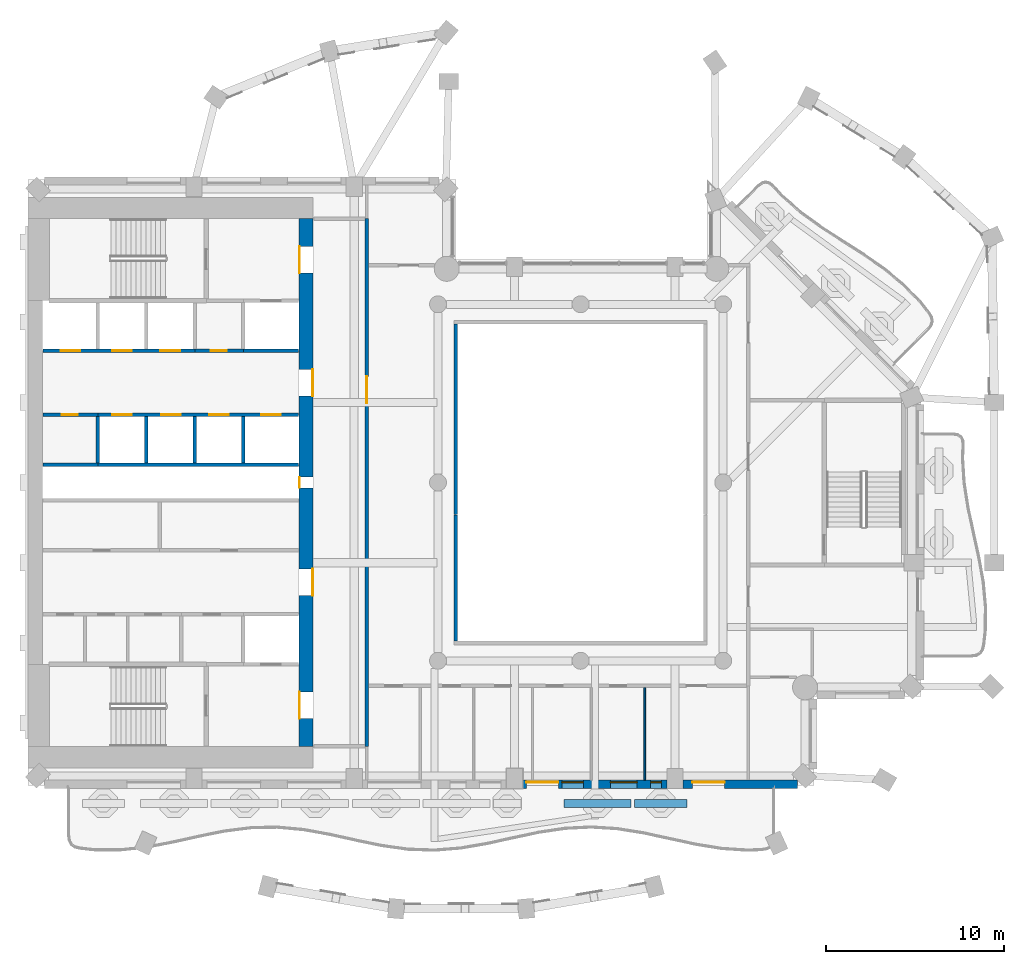
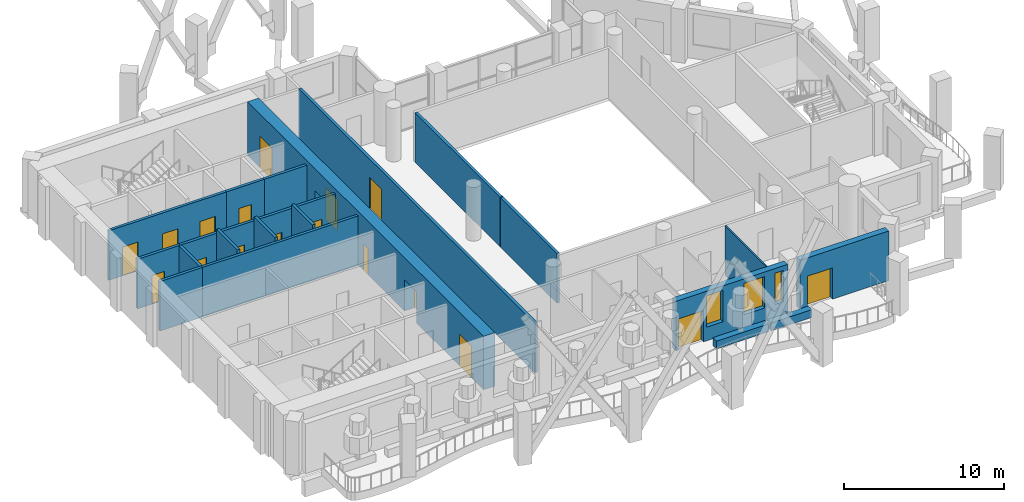
# One storey, part 5 of 16: 20 walls, 17 doors, 3 windows, 20 openings.
"""IFC4 building model written with IfcOpenShell, lengths in metres."""

from ifc_helpers import new_model, si_unit, direction, frame, frame_2d, origin, place, context, subcontext, project, spatial, rectangle, extrude, material, layer, layer_set, type_object, element, fill, save


model = new_model("IFC4")

# Units and contexts
model_context = context("Model", 3, precision=1e-05, world=origin(), true_north=direction((0.0, 1.0)))
body_context = subcontext(model_context, "Body", "Model", "MODEL_VIEW")
ifc_project = project(units=[si_unit("LENGTHUNIT", "METRE"), si_unit("AREAUNIT", "SQUARE_METRE"), si_unit("VOLUMEUNIT", "CUBIC_METRE"), si_unit("PLANEANGLEUNIT", "RADIAN"), si_unit("MASSUNIT", "GRAM", prefix="KILO")], contexts=[model_context])

# Site, building, storey
site_placement = place(None, origin())
site = spatial("IfcSite", under=ifc_project, at=site_placement, CompositionType="ELEMENT")
building_placement = place(site_placement, origin())
building = spatial("IfcBuilding", under=site, at=building_placement, Name="Cypress Arch Tower", CompositionType="ELEMENT")
storey_placement = place(building_placement, frame((0.0, 0.0, 168.699951171875)))
storey = spatial("IfcBuildingStorey", under=building, at=storey_placement, Name="L36", CompositionType="ELEMENT", Elevation=168.699951171875)

# Walls
ifc_material_1 = material(Name="Concrete C40/50, waterproofed", Category="concrete")
ifc_layer_1 = layer(ifc_material_1, 0.449951171875)
ifc_layer_set_1 = layer_set([ifc_layer_1], Name="Balcony planter wall PW450")
wall_type_1 = type_object("IfcWallType", Name="Balcony planter wall PW450", PredefinedType="SOLIDWALL", material=ifc_layer_set_1)
wall_1_placement = place(storey_placement, frame((0.070068359375, -18.0, 0.0), z_axis=(0.0, 0.0, 1.0), x_axis=(1.0, 0.0, 0.0)))
element("IfcWall", 1, at=wall_1_placement, inside=storey, type_object=wall_type_1, Name="Balcony planter wall L36-B01.8", PredefinedType="SOLIDWALL", context=body_context, shape_type="SweptSolid", body=[
    extrude(rectangle(XDim=3.760009765625, YDim=0.449951171875, at=frame_2d((1.8798828125, 0.0))), origin(), (0.0, 0.0, 1.0), 0.60009765625),
])
wall_2_placement = place(storey_placement, frame((4.030029296875, -18.0, 0.0), z_axis=(0.0, 0.0, 1.0), x_axis=(1.0, 0.0, 0.0)))
element("IfcWall", 2, at=wall_2_placement, inside=storey, type_object=wall_type_1, Name="Balcony planter wall L36-B01.9", PredefinedType="SOLIDWALL", context=body_context, shape_type="SweptSolid", body=[
    extrude(rectangle(XDim=2.945068359375, YDim=0.449951171875, at=frame_2d((1.47265625, 0.0))), origin(), (0.0, 0.0, 1.0), 0.60009765625),
])

# Wall, openings, door, windows
ifc_material_2 = material(Name="Brick (red buff blend)", Category="masonry")
ifc_layer_2 = layer(ifc_material_2, 0.449951171875)
ifc_layer_set_2 = layer_set([ifc_layer_2], Name="Brick pier and spandrel wall BW450")
wall_type_2 = type_object("IfcWallType", Name="Brick pier and spandrel wall BW450", PredefinedType="SOLIDWALL", material=ifc_layer_set_2)
wall_3_placement = place(storey_placement, frame((-2.25, -16.925048828125, 0.0), z_axis=(0.0, 0.0, 1.0), x_axis=(1.0, 0.0, 0.0)))
wall_3 = element("IfcWall", 3, at=wall_3_placement, inside=storey, type_object=wall_type_2, Name="Brick wall L36 B01.3", PredefinedType="SOLIDWALL", context=body_context, shape_type="SweptSolid", body=[
    extrude(rectangle(XDim=8.10009765625, YDim=0.449951171875, at=frame_2d((4.050048828125, 0.0))), origin(), (0.0, 0.0, 1.0), 3.800048828125),
])
opening_1_placement = place(wall_3_placement, frame((0.199951171875, 0.0, 0.0)))
opening_1 = element("IfcOpeningElement", 4, at=opening_1_placement, cuts=wall_3, Name="Opening D-L36-B01.3.1", PredefinedType="OPENING", context=body_context, shape_type="SweptSolid", body=[
    extrude(rectangle(XDim=1.800048828125, YDim=2.39990234375, at=frame_2d((0.89990234375, 1.199951171875))), frame((0.0, 0.23486328125, 0.0), z_axis=(0.0, -1.0, 0.0), x_axis=(1.0, 0.0, 0.0)), (0.0, 0.0, 1.0), 0.469970703125),
])
opening_2_placement = place(wall_3_placement, frame((2.199951171875, 0.0, 1.050048828125)))
opening_2 = element("IfcOpeningElement", 5, at=opening_2_placement, cuts=wall_3, Name="Opening W120OD", PredefinedType="OPENING", context=body_context, shape_type="SweptSolid", body=[
    extrude(rectangle(XDim=1.199951171875, YDim=2.39990234375, at=frame_2d((0.60009765625, 1.199951171875))), frame((0.0, 0.23486328125, 0.0), z_axis=(0.0, -1.0, 0.0), x_axis=(1.0, 0.0, 0.0)), (0.0, 0.0, 1.0), 0.469970703125),
])
opening_3_placement = place(wall_3_placement, frame((4.925537109375, 0.0, 1.050048828125)))
opening_3 = element("IfcOpeningElement", 6, at=opening_3_placement, cuts=wall_3, Name="Opening W150OD", PredefinedType="OPENING", context=body_context, shape_type="SweptSolid", body=[
    extrude(rectangle(XDim=1.5, YDim=2.39990234375, at=frame_2d((0.75, 1.199951171875))), frame((0.0, 0.23486328125, 0.0), z_axis=(0.0, -1.0, 0.0), x_axis=(1.0, 0.0, 0.0)), (0.0, 0.0, 1.0), 0.469970703125),
])
opening_4_placement = place(wall_3_placement, frame((7.175537109375, 0.0, 1.050048828125)))
opening_4 = element("IfcOpeningElement", 7, at=opening_4_placement, cuts=wall_3, Name="Opening W060OD", PredefinedType="OPENING", context=body_context, shape_type="SweptSolid", body=[
    extrude(rectangle(XDim=0.60009765625, YDim=2.39990234375, at=frame_2d((0.300048828125, 1.199951171875))), frame((0.0, 0.23486328125, 0.0), z_axis=(0.0, -1.0, 0.0), x_axis=(1.0, 0.0, 0.0)), (0.0, 0.0, 1.0), 0.469970703125),
])
ifc_material_3 = material(Name="Anodised aluminium, bronze finish, laminated low-emissivity double glazing, large-missile impact rated", Category="aluminium")
door_type_1 = type_object("IfcDoorType", Name="Balcony sliding door 1800x2400", OperationType="SLIDING_TO_LEFT", PredefinedType="DOOR", material=ifc_material_3)
door_1_placement = place(opening_1_placement, origin())
door_1 = element("IfcDoor", 8, at=door_1_placement, inside=storey, type_object=door_type_1, Name="Balcony door L36 B01.3.1", OperationType="SLIDING_TO_LEFT", OverallHeight=2.39990234375, OverallWidth=1.800048828125, PredefinedType="DOOR", context=body_context, shape_type="SweptSolid", body=[
    extrude(rectangle(XDim=1.800048828125, YDim=2.39990234375, at=frame_2d((0.89990234375, 1.199951171875))), frame((0.0, 0.1298828125, 0.0), z_axis=(0.0, -1.0, 0.0), x_axis=(1.0, 0.0, 0.0)), (0.0, 0.0, 1.0), 0.050048828125),
])
fill(opening_1, door_1)
ifc_material_4 = material(Name="Anodised aluminium, bronze finish, laminated low-emissivity double glazing, large-missile impact rated", Category="aluminium")
window_type_1 = type_object("IfcWindowType", Name="Window Office 1200x2400 debris-rated", PartitioningType="SINGLE_PANEL", PredefinedType="WINDOW", material=ifc_material_4)
window_1_placement = place(opening_2_placement, origin())
window_1 = element("IfcWindow", 9, at=window_1_placement, inside=storey, type_object=window_type_1, Name="Window L36 B01.3.1", OverallHeight=2.39990234375, OverallWidth=1.199951171875, PartitioningType="SINGLE_PANEL", PredefinedType="WINDOW", context=body_context, shape_type="SweptSolid", body=[
    extrude(rectangle(XDim=1.199951171875, YDim=2.39990234375, at=frame_2d((0.60009765625, 1.199951171875))), frame((0.0, 0.135009765625, 0.0), z_axis=(0.0, -1.0, 0.0), x_axis=(1.0, 0.0, 0.0)), (0.0, 0.0, 1.0), 0.06005859375),
])
fill(opening_2, window_1)
ifc_material_5 = material(Name="Anodised aluminium, bronze finish, laminated low-emissivity double glazing, large-missile impact rated", Category="aluminium")
window_type_2 = type_object("IfcWindowType", Name="Window Office 1500x2400 debris-rated", PartitioningType="SINGLE_PANEL", PredefinedType="WINDOW", material=ifc_material_5)
window_2_placement = place(opening_3_placement, origin())
window_2 = element("IfcWindow", 10, at=window_2_placement, inside=storey, type_object=window_type_2, Name="Window L36 B01.3.2", OverallHeight=2.39990234375, OverallWidth=1.5, PartitioningType="SINGLE_PANEL", PredefinedType="WINDOW", context=body_context, shape_type="SweptSolid", body=[
    extrude(rectangle(XDim=1.5, YDim=2.39990234375, at=frame_2d((0.75, 1.199951171875))), frame((0.0, 0.135009765625, 0.0), z_axis=(0.0, -1.0, 0.0), x_axis=(1.0, 0.0, 0.0)), (0.0, 0.0, 1.0), 0.06005859375),
])
fill(opening_3, window_2)
ifc_material_6 = material(Name="Anodised aluminium, bronze finish, laminated low-emissivity double glazing, large-missile impact rated", Category="aluminium")
window_type_3 = type_object("IfcWindowType", Name="Window Office 600x2400 debris-rated", PartitioningType="SINGLE_PANEL", PredefinedType="WINDOW", material=ifc_material_6)
window_3_placement = place(opening_4_placement, origin())
window_3 = element("IfcWindow", 11, at=window_3_placement, inside=storey, type_object=window_type_3, Name="Window L36 B01.3.2b", OverallHeight=2.39990234375, OverallWidth=0.60009765625, PartitioningType="SINGLE_PANEL", PredefinedType="WINDOW", context=body_context, shape_type="SweptSolid", body=[
    extrude(rectangle(XDim=0.60009765625, YDim=2.39990234375, at=frame_2d((0.300048828125, 1.199951171875))), frame((0.0, 0.135009765625, 0.0), z_axis=(0.0, -1.0, 0.0), x_axis=(1.0, 0.0, 0.0)), (0.0, 0.0, 1.0), 0.06005859375),
])
fill(opening_4, window_3)

# Wall, opening, door
wall_4_placement = place(storey_placement, frame((6.75, -16.925048828125, 0.0), z_axis=(0.0, 0.0, 1.0), x_axis=(1.0, 0.0, 0.0)))
wall_4 = element("IfcWall", 12, at=wall_4_placement, inside=storey, type_object=wall_type_2, Name="Brick wall L36 B01.4", PredefinedType="SOLIDWALL", context=body_context, shape_type="SweptSolid", body=[
    extrude(rectangle(XDim=6.41357421875, YDim=0.449951171875, at=frame_2d((3.206787109375, 0.0))), origin(), (0.0, 0.0, 1.0), 3.800048828125),
])
opening_5_placement = place(wall_4_placement, frame((0.52490234375, 0.0, 0.0)))
opening_5 = element("IfcOpeningElement", 13, at=opening_5_placement, cuts=wall_4, Name="Opening D-L36-B01.4.1", PredefinedType="OPENING", context=body_context, shape_type="SweptSolid", body=[
    extrude(rectangle(XDim=1.800048828125, YDim=2.39990234375, at=frame_2d((0.89990234375, 1.199951171875))), frame((0.0, 0.23486328125, 0.0), z_axis=(0.0, -1.0, 0.0), x_axis=(1.0, 0.0, 0.0)), (0.0, 0.0, 1.0), 0.469970703125),
])
door_2_placement = place(opening_5_placement, origin())
door_2 = element("IfcDoor", 14, at=door_2_placement, inside=storey, type_object=door_type_1, Name="Balcony door L36 B01.4.1", OperationType="SLIDING_TO_LEFT", OverallHeight=2.39990234375, OverallWidth=1.800048828125, PredefinedType="DOOR", context=body_context, shape_type="SweptSolid", body=[
    extrude(rectangle(XDim=1.800048828125, YDim=2.39990234375, at=frame_2d((0.89990234375, 1.199951171875))), frame((0.0, 0.1298828125, 0.0), z_axis=(0.0, -1.0, 0.0), x_axis=(1.0, 0.0, 0.0)), (0.0, 0.0, 1.0), 0.050048828125),
])
fill(opening_5, door_2)

# Wall, openings, doors
ifc_material_7 = material(Name="Concrete C70/85", Category="concrete")
ifc_layer_3 = layer(ifc_material_7, 0.800048828125)
ifc_layer_set_3 = layer_set([ifc_layer_3], Name="Core wall CW800 C70/85")
wall_type_3 = type_object("IfcWallType", Name="Core wall CW800 C70/85", PredefinedType="SHEAR", material=ifc_layer_set_3)
wall_5_placement = place(storey_placement, frame((-14.39990234375, -14.800048828125, 0.0), z_axis=(0.0, 0.0, 1.0), x_axis=(0.0, 1.0, 0.0)))
wall_5 = element("IfcWall", 15, at=wall_5_placement, inside=storey, type_object=wall_type_3, Name="Core wall", PredefinedType="SHEAR", context=body_context, shape_type="SweptSolid", body=[
    extrude(rectangle(XDim=29.60009765625, YDim=0.800048828125, at=frame_2d((14.800048828125, 0.0))), origin(), (0.0, 0.0, 1.0), 4.10009765625),
])
opening_6_placement = place(wall_5_placement, frame((1.550048828125, 0.0, 0.0)))
opening_6 = element("IfcOpeningElement", 16, at=opening_6_placement, cuts=wall_5, Name="Opening D07", PredefinedType="OPENING", context=body_context, shape_type="SweptSolid", body=[
    extrude(rectangle(XDim=1.5, YDim=2.39990234375, at=frame_2d((0.75, 1.199951171875))), frame((0.0, 0.409912109375, 0.0), z_axis=(0.0, -1.0, 0.0), x_axis=(1.0, 0.0, 0.0)), (0.0, 0.0, 1.0), 0.820068359375),
])
opening_7_placement = place(wall_5_placement, frame((26.550048828125, 0.0, 0.0)))
opening_7 = element("IfcOpeningElement", 17, at=opening_7_placement, cuts=wall_5, Name="Opening D07", PredefinedType="OPENING", context=body_context, shape_type="SweptSolid", body=[
    extrude(rectangle(XDim=1.5, YDim=2.39990234375, at=frame_2d((0.75, 1.199951171875))), frame((0.0, 0.409912109375, 0.0), z_axis=(0.0, -1.0, 0.0), x_axis=(1.0, 0.0, 0.0)), (0.0, 0.0, 1.0), 0.820068359375),
])
opening_8_placement = place(wall_5_placement, frame((8.449951171875, 0.0, 0.0)))
opening_8 = element("IfcOpeningElement", 18, at=opening_8_placement, cuts=wall_5, Name="Opening D07", PredefinedType="OPENING", context=body_context, shape_type="SweptSolid", body=[
    extrude(rectangle(XDim=1.5, YDim=2.39990234375, at=frame_2d((0.75, 1.199951171875))), frame((0.0, 0.409912109375, 0.0), z_axis=(0.0, -1.0, 0.0), x_axis=(1.0, 0.0, 0.0)), (0.0, 0.0, 1.0), 0.820068359375),
])
opening_9_placement = place(wall_5_placement, frame((19.64990234375, 0.0, 0.0)))
opening_9 = element("IfcOpeningElement", 19, at=opening_9_placement, cuts=wall_5, Name="Opening D07", PredefinedType="OPENING", context=body_context, shape_type="SweptSolid", body=[
    extrude(rectangle(XDim=1.5, YDim=2.39990234375, at=frame_2d((0.75, 1.199951171875))), frame((0.0, 0.409912109375, 0.0), z_axis=(0.0, -1.0, 0.0), x_axis=(1.0, 0.0, 0.0)), (0.0, 0.0, 1.0), 0.820068359375),
])
opening_10_placement = place(wall_5_placement, frame((14.5, 0.0, 0.0)))
opening_10 = element("IfcOpeningElement", 20, at=opening_10_placement, cuts=wall_5, Name="Opening D08", PredefinedType="OPENING", context=body_context, shape_type="SweptSolid", body=[
    extrude(rectangle(XDim=0.60009765625, YDim=2.0, at=frame_2d((0.300048828125, 1.0))), frame((0.0, 0.409912109375, 0.0), z_axis=(0.0, -1.0, 0.0), x_axis=(1.0, 0.0, 0.0)), (0.0, 0.0, 1.0), 0.820068359375),
])
ifc_material_8 = material(Name="Steel framed glazed door, fire resisting", Category="steel")
door_type_2 = type_object("IfcDoorType", Name="Lobby door D07 1500x2400", OperationType="DOUBLE_DOOR_SINGLE_SWING", PredefinedType="DOOR", material=ifc_material_8)
door_3_placement = place(opening_6_placement, origin())
door_3 = element("IfcDoor", 21, at=door_3_placement, inside=storey, type_object=door_type_2, Name="Lobby door", OperationType="DOUBLE_DOOR_SINGLE_SWING", OverallHeight=2.39990234375, OverallWidth=1.5, PredefinedType="DOOR", context=body_context, shape_type="SweptSolid", body=[
    extrude(rectangle(XDim=1.5, YDim=2.39990234375, at=frame_2d((0.75, 1.199951171875))), frame((0.0, 0.39501953125, 0.0), z_axis=(0.0, -1.0, 0.0), x_axis=(1.0, 0.0, 0.0)), (0.0, 0.0, 1.0), 0.050048828125),
])
fill(opening_6, door_3)
door_4_placement = place(opening_7_placement, origin())
door_4 = element("IfcDoor", 22, at=door_4_placement, inside=storey, type_object=door_type_2, Name="Lobby door", OperationType="DOUBLE_DOOR_SINGLE_SWING", OverallHeight=2.39990234375, OverallWidth=1.5, PredefinedType="DOOR", context=body_context, shape_type="SweptSolid", body=[
    extrude(rectangle(XDim=1.5, YDim=2.39990234375, at=frame_2d((0.75, 1.199951171875))), frame((0.0, 0.39501953125, 0.0), z_axis=(0.0, -1.0, 0.0), x_axis=(1.0, 0.0, 0.0)), (0.0, 0.0, 1.0), 0.050048828125),
])
fill(opening_7, door_4)
door_5_placement = place(opening_8_placement, origin())
door_5 = element("IfcDoor", 23, at=door_5_placement, inside=storey, type_object=door_type_2, Name="Lobby door", OperationType="DOUBLE_DOOR_SINGLE_SWING", OverallHeight=2.39990234375, OverallWidth=1.5, PredefinedType="DOOR", context=body_context, shape_type="SweptSolid", body=[
    extrude(rectangle(XDim=1.5, YDim=2.39990234375, at=frame_2d((0.75, 1.199951171875))), frame((0.0, -0.34521484375, 0.0), z_axis=(0.0, -1.0, 0.0), x_axis=(1.0, 0.0, 0.0)), (0.0, 0.0, 1.0), 0.050048828125),
])
fill(opening_8, door_5)
door_6_placement = place(opening_9_placement, origin())
door_6 = element("IfcDoor", 24, at=door_6_placement, inside=storey, type_object=door_type_2, Name="Lobby door", OperationType="DOUBLE_DOOR_SINGLE_SWING", OverallHeight=2.39990234375, OverallWidth=1.5, PredefinedType="DOOR", context=body_context, shape_type="SweptSolid", body=[
    extrude(rectangle(XDim=1.5, YDim=2.39990234375, at=frame_2d((0.75, 1.199951171875))), frame((0.0, -0.34521484375, 0.0), z_axis=(0.0, -1.0, 0.0), x_axis=(1.0, 0.0, 0.0)), (0.0, 0.0, 1.0), 0.050048828125),
])
fill(opening_9, door_6)
ifc_material_9 = material(Name="Steel access door, fire resisting", Category="steel")
door_type_3 = type_object("IfcDoorType", Name="Riser access door D08 600x2000", OperationType="SINGLE_SWING_LEFT", PredefinedType="DOOR", material=ifc_material_9)
door_7_placement = place(opening_10_placement, origin())
door_7 = element("IfcDoor", 25, at=door_7_placement, inside=storey, type_object=door_type_3, Name="Riser access door", OperationType="SINGLE_SWING_RIGHT", OverallHeight=2.0, OverallWidth=0.60009765625, PredefinedType="DOOR", context=body_context, shape_type="SweptSolid", body=[
    extrude(rectangle(XDim=0.60009765625, YDim=2.0, at=frame_2d((0.300048828125, 1.0))), frame((0.0, 0.39501953125, 0.0), z_axis=(0.0, -1.0, 0.0), x_axis=(1.0, 0.0, 0.0)), (0.0, 0.0, 1.0), 0.050048828125),
])
fill(opening_10, door_7)

# Wall, opening, door
ifc_material_10 = material(Name="Concrete blockwork, plastered, rated", Category="masonry")
ifc_layer_4 = layer(ifc_material_10, 0.199951171875)
ifc_layer_set_4 = layer_set([ifc_layer_4], Name="Corridor wall FW200")
wall_type_4 = type_object("IfcWallType", Name="Corridor wall FW200", PredefinedType="PARTITIONING", material=ifc_layer_set_4)
wall_6_placement = place(storey_placement, frame((-29.169921875, 3.800048828125, 0.0), z_axis=(0.0, 0.0, 1.0), x_axis=(1.0, 0.0, 0.0)))
wall_6 = element("IfcWall", 26, at=wall_6_placement, inside=storey, type_object=wall_type_4, Name="Corridor wall", PredefinedType="PARTITIONING", context=body_context, shape_type="SweptSolid", body=[
    extrude(rectangle(XDim=3.08984375, YDim=0.199951171875, at=frame_2d((1.544921875, 0.0))), origin(), (0.0, 0.0, 1.0), 3.800048828125),
])
opening_11_placement = place(wall_6_placement, frame((1.050048828125, 0.0, 0.0)))
opening_11 = element("IfcOpeningElement", 27, at=opening_11_placement, cuts=wall_6, Name="Opening D05", PredefinedType="OPENING", context=body_context, shape_type="SweptSolid", body=[
    extrude(rectangle(XDim=0.89990234375, YDim=2.199951171875, at=frame_2d((0.449951171875, 1.10009765625))), frame((0.0, 0.10986328125, 0.0), z_axis=(0.0, -1.0, 0.0), x_axis=(1.0, 0.0, 0.0)), (0.0, 0.0, 1.0), 0.219970703125),
])
ifc_material_11 = material(Name="Timber flush door", Category="wood")
door_type_4 = type_object("IfcDoorType", Name="Service door D05 900x2200", OperationType="SINGLE_SWING_LEFT", PredefinedType="DOOR", material=ifc_material_11)
door_8_placement = place(opening_11_placement, origin())
door_8 = element("IfcDoor", 28, at=door_8_placement, inside=storey, type_object=door_type_4, Name="Service door", OperationType="SINGLE_SWING_LEFT", OverallHeight=2.199951171875, OverallWidth=0.89990234375, PredefinedType="DOOR", context=body_context, shape_type="SweptSolid", body=[
    extrude(rectangle(XDim=0.89990234375, YDim=2.199951171875, at=frame_2d((0.449951171875, 1.10009765625))), frame((0.0, 0.02490234375, 0.0), z_axis=(0.0, -1.0, 0.0), x_axis=(1.0, 0.0, 0.0)), (0.0, 0.0, 1.0), 0.050048828125),
])
fill(opening_11, door_8)

wall_7_placement = place(storey_placement, frame((-20.639892578125, 7.39990234375, 0.0), z_axis=(0.0, 0.0, 1.0), x_axis=(1.0, 0.0, 0.0)))
wall_7 = element("IfcWall", 29, at=wall_7_placement, inside=storey, type_object=wall_type_4, Name="Corridor wall", PredefinedType="PARTITIONING", context=body_context, shape_type="SweptSolid", body=[
    extrude(rectangle(XDim=2.719970703125, YDim=0.199951171875, at=frame_2d((1.35986328125, 0.0))), origin(), (0.0, 0.0, 1.0), 3.800048828125),
])
opening_12_placement = place(wall_7_placement, frame((0.89990234375, 0.0, 0.0)))
opening_12 = element("IfcOpeningElement", 30, at=opening_12_placement, cuts=wall_7, Name="Opening D05", PredefinedType="OPENING", context=body_context, shape_type="SweptSolid", body=[
    extrude(rectangle(XDim=0.89990234375, YDim=2.199951171875, at=frame_2d((0.449951171875, 1.10009765625))), frame((0.0, 0.10986328125, 0.0), z_axis=(0.0, -1.0, 0.0), x_axis=(1.0, 0.0, 0.0)), (0.0, 0.0, 1.0), 0.219970703125),
])
door_9_placement = place(opening_12_placement, origin())
door_9 = element("IfcDoor", 31, at=door_9_placement, inside=storey, type_object=door_type_4, Name="Service door", OperationType="SINGLE_SWING_LEFT", OverallHeight=2.199951171875, OverallWidth=0.89990234375, PredefinedType="DOOR", context=body_context, shape_type="SweptSolid", body=[
    extrude(rectangle(XDim=0.89990234375, YDim=2.199951171875, at=frame_2d((0.449951171875, 1.10009765625))), frame((0.0, 0.02490234375, 0.0), z_axis=(0.0, -1.0, 0.0), x_axis=(1.0, 0.0, 0.0)), (0.0, 0.0, 1.0), 0.050048828125),
])
fill(opening_12, door_9)

wall_8_placement = place(storey_placement, frame((-11.0, -14.800048828125, 0.0), z_axis=(0.0, 0.0, 1.0), x_axis=(0.0, 1.0, 0.0)))
wall_8 = element("IfcWall", 32, at=wall_8_placement, inside=storey, type_object=wall_type_4, Name="Corridor wall", PredefinedType="PARTITIONING", context=body_context, shape_type="SweptSolid", body=[
    extrude(rectangle(XDim=29.60009765625, YDim=0.199951171875, at=frame_2d((14.800048828125, 0.0))), origin(), (0.0, 0.0, 1.0), 3.800048828125),
])
opening_13_placement = place(wall_8_placement, frame((19.25, 0.0, 0.0)))
opening_13 = element("IfcOpeningElement", 33, at=opening_13_placement, cuts=wall_8, Name="Opening D07", PredefinedType="OPENING", context=body_context, shape_type="SweptSolid", body=[
    extrude(rectangle(XDim=1.5, YDim=2.39990234375, at=frame_2d((0.75, 1.199951171875))), frame((0.0, 0.10986328125, 0.0), z_axis=(0.0, -1.0, 0.0), x_axis=(1.0, 0.0, 0.0)), (0.0, 0.0, 1.0), 0.219970703125),
])
door_10_placement = place(opening_13_placement, origin())
door_10 = element("IfcDoor", 34, at=door_10_placement, inside=storey, type_object=door_type_2, Name="Lobby door", OperationType="DOUBLE_DOOR_SINGLE_SWING", OverallHeight=2.39990234375, OverallWidth=1.5, PredefinedType="DOOR", context=body_context, shape_type="SweptSolid", body=[
    extrude(rectangle(XDim=1.5, YDim=2.39990234375, at=frame_2d((0.75, 1.199951171875))), frame((0.0, 0.02490234375, 0.0), z_axis=(0.0, -1.0, 0.0), x_axis=(1.0, 0.0, 0.0)), (0.0, 0.0, 1.0), 0.050048828125),
])
fill(opening_13, door_10)

# Walls
wall_9_placement = place(storey_placement, frame((-6.0, -8.89990234375, 0.0), z_axis=(0.0, 0.0, 1.0), x_axis=(0.0, 1.0, 0.0)))
element("IfcWall", 35, at=wall_9_placement, inside=storey, type_object=wall_type_4, Name="Corridor wall", PredefinedType="PARTITIONING", context=body_context, shape_type="SweptSolid", body=[
    extrude(rectangle(XDim=7.079833984375, YDim=0.199951171875, at=frame_2d((3.5400390625, 0.0))), origin(), (0.0, 0.0, 1.0), 3.800048828125),
])
wall_10_placement = place(storey_placement, frame((-6.0, -1.780029296875, 0.0), z_axis=(0.0, 0.0, 1.0), x_axis=(0.0, 1.0, 0.0)))
element("IfcWall", 36, at=wall_10_placement, inside=storey, type_object=wall_type_4, Name="Corridor wall", PredefinedType="PARTITIONING", context=body_context, shape_type="SweptSolid", body=[
    extrude(rectangle(XDim=10.679931640625, YDim=0.199951171875, at=frame_2d((5.33984375, 0.0))), origin(), (0.0, 0.0, 1.0), 3.800048828125),
])
ifc_material_12 = material(Name="Reinforced blockwork, plastered, rated", Category="masonry")
ifc_layer_5 = layer(ifc_material_12, 0.199951171875)
ifc_layer_set_5 = layer_set([ifc_layer_5], Name="Plant and riser wall PL200")
wall_type_5 = type_object("IfcWallType", Name="Plant and riser wall PL200", PredefinedType="PARTITIONING", material=ifc_layer_set_5)
wall_11_placement = place(storey_placement, frame((-29.169921875, 1.0, 0.0), z_axis=(0.0, 0.0, 1.0), x_axis=(1.0, 0.0, 0.0)))
element("IfcWall", 37, at=wall_11_placement, inside=storey, type_object=wall_type_5, Name="Plant and riser wall", PredefinedType="PARTITIONING", context=body_context, shape_type="SweptSolid", body=[
    extrude(rectangle(XDim=3.08984375, YDim=0.199951171875, at=frame_2d((1.544921875, 0.0))), origin(), (0.0, 0.0, 1.0), 3.800048828125),
])

# Wall, openings, doors
ifc_material_13 = material(Name="Concrete C50/60", Category="concrete")
ifc_layer_6 = layer(ifc_material_13, 0.199951171875)
ifc_layer_set_6 = layer_set([ifc_layer_6], Name="Shaft wall SH200")
wall_type_6 = type_object("IfcWallType", Name="Shaft wall SH200", PredefinedType="SHEAR", material=ifc_layer_set_6)
wall_12_placement = place(storey_placement, frame((-29.169921875, 7.39990234375, 0.0), z_axis=(0.0, 0.0, 1.0), x_axis=(1.0, 0.0, 0.0)))
wall_12 = element("IfcWall", 38, at=wall_12_placement, inside=storey, type_object=wall_type_6, Name="Shaft wall", PredefinedType="SHEAR", context=body_context, shape_type="SweptSolid", body=[
    extrude(rectangle(XDim=8.530029296875, YDim=0.199951171875, at=frame_2d((4.26513671875, 0.0))), origin(), (0.0, 0.0, 1.0), 3.800048828125),
])
opening_14_placement = place(wall_12_placement, frame((1.0, 0.0, 0.0)))
opening_14 = element("IfcOpeningElement", 39, at=opening_14_placement, cuts=wall_12, Name="Opening LD-HR5", PredefinedType="OPENING", context=body_context, shape_type="SweptSolid", body=[
    extrude(rectangle(XDim=1.10009765625, YDim=2.199951171875, at=frame_2d((0.550048828125, 1.10009765625))), frame((0.0, 0.10986328125, 0.0), z_axis=(0.0, -1.0, 0.0), x_axis=(1.0, 0.0, 0.0)), (0.0, 0.0, 1.0), 0.219970703125),
])
opening_15_placement = place(wall_12_placement, frame((3.89990234375, 0.0, 0.0)))
opening_15 = element("IfcOpeningElement", 40, at=opening_15_placement, cuts=wall_12, Name="Opening LD-HR6", PredefinedType="OPENING", context=body_context, shape_type="SweptSolid", body=[
    extrude(rectangle(XDim=1.10009765625, YDim=2.199951171875, at=frame_2d((0.550048828125, 1.10009765625))), frame((0.0, 0.10986328125, 0.0), z_axis=(0.0, -1.0, 0.0), x_axis=(1.0, 0.0, 0.0)), (0.0, 0.0, 1.0), 0.219970703125),
])
opening_16_placement = place(wall_12_placement, frame((6.60009765625, 0.0, 0.0)))
opening_16 = element("IfcOpeningElement", 41, at=opening_16_placement, cuts=wall_12, Name="Opening LD-HR7", PredefinedType="OPENING", context=body_context, shape_type="SweptSolid", body=[
    extrude(rectangle(XDim=1.10009765625, YDim=2.199951171875, at=frame_2d((0.550048828125, 1.10009765625))), frame((0.0, 0.10986328125, 0.0), z_axis=(0.0, -1.0, 0.0), x_axis=(1.0, 0.0, 0.0)), (0.0, 0.0, 1.0), 0.219970703125),
])
ifc_material_14 = material(Name="Stainless steel centre-opening landing door, rated", Category="steel")
door_type_5 = type_object("IfcDoorType", Name="Lift landing door LD 1100x2200", OperationType="DOUBLE_DOOR_SLIDING", PredefinedType="DOOR", material=ifc_material_14)
door_11_placement = place(opening_14_placement, origin())
door_11 = element("IfcDoor", 42, at=door_11_placement, inside=storey, type_object=door_type_5, Name="Lift landing doors HR5", OperationType="DOUBLE_DOOR_SLIDING", OverallHeight=2.199951171875, OverallWidth=1.10009765625, PredefinedType="DOOR", context=body_context, shape_type="SweptSolid", body=[
    extrude(rectangle(XDim=1.10009765625, YDim=2.199951171875, at=frame_2d((0.550048828125, 1.10009765625))), frame((0.0, 0.02490234375, 0.0), z_axis=(0.0, -1.0, 0.0), x_axis=(1.0, 0.0, 0.0)), (0.0, 0.0, 1.0), 0.050048828125),
])
fill(opening_14, door_11)
door_12_placement = place(opening_15_placement, origin())
door_12 = element("IfcDoor", 43, at=door_12_placement, inside=storey, type_object=door_type_5, Name="Lift landing doors HR6", OperationType="DOUBLE_DOOR_SLIDING", OverallHeight=2.199951171875, OverallWidth=1.10009765625, PredefinedType="DOOR", context=body_context, shape_type="SweptSolid", body=[
    extrude(rectangle(XDim=1.10009765625, YDim=2.199951171875, at=frame_2d((0.550048828125, 1.10009765625))), frame((0.0, 0.02490234375, 0.0), z_axis=(0.0, -1.0, 0.0), x_axis=(1.0, 0.0, 0.0)), (0.0, 0.0, 1.0), 0.050048828125),
])
fill(opening_15, door_12)
door_13_placement = place(opening_16_placement, origin())
door_13 = element("IfcDoor", 44, at=door_13_placement, inside=storey, type_object=door_type_5, Name="Lift landing doors HR7", OperationType="DOUBLE_DOOR_SLIDING", OverallHeight=2.199951171875, OverallWidth=1.10009765625, PredefinedType="DOOR", context=body_context, shape_type="SweptSolid", body=[
    extrude(rectangle(XDim=1.10009765625, YDim=2.199951171875, at=frame_2d((0.550048828125, 1.10009765625))), frame((0.0, 0.02490234375, 0.0), z_axis=(0.0, -1.0, 0.0), x_axis=(1.0, 0.0, 0.0)), (0.0, 0.0, 1.0), 0.050048828125),
])
fill(opening_16, door_13)

# Walls
wall_13_placement = place(storey_placement, frame((-26.080078125, 1.10009765625, 0.0), z_axis=(0.0, 0.0, 1.0), x_axis=(0.0, 1.0, 0.0)))
element("IfcWall", 45, at=wall_13_placement, inside=storey, type_object=wall_type_6, Name="Shaft wall", PredefinedType="SHEAR", context=body_context, shape_type="SweptSolid", body=[
    extrude(rectangle(XDim=2.599853515625, YDim=0.199951171875, at=frame_2d((1.2998046875, 0.0))), origin(), (0.0, 0.0, 1.0), 3.800048828125),
])
wall_14_placement = place(storey_placement, frame((-26.080078125, 1.0, 0.0), z_axis=(0.0, 0.0, 1.0), x_axis=(1.0, 0.0, 0.0)))
element("IfcWall", 46, at=wall_14_placement, inside=storey, type_object=wall_type_6, Name="Shaft wall", PredefinedType="SHEAR", context=body_context, shape_type="SweptSolid", body=[
    extrude(rectangle(XDim=11.25, YDim=0.199951171875, at=frame_2d((5.625, 0.0))), origin(), (0.0, 0.0, 1.0), 3.800048828125),
])

# Wall, openings, doors
wall_15_placement = place(storey_placement, frame((-26.080078125, 3.800048828125, 0.0), z_axis=(0.0, 0.0, 1.0), x_axis=(1.0, 0.0, 0.0)))
wall_15 = element("IfcWall", 47, at=wall_15_placement, inside=storey, type_object=wall_type_6, Name="Shaft wall", PredefinedType="SHEAR", context=body_context, shape_type="SweptSolid", body=[
    extrude(rectangle(XDim=11.25, YDim=0.199951171875, at=frame_2d((5.625, 0.0))), origin(), (0.0, 0.0, 1.0), 3.800048828125),
])
opening_17_placement = place(wall_15_placement, frame((0.800048828125, 0.0, 0.0)))
opening_17 = element("IfcOpeningElement", 48, at=opening_17_placement, cuts=wall_15, Name="Opening LD-HR1", PredefinedType="OPENING", context=body_context, shape_type="SweptSolid", body=[
    extrude(rectangle(XDim=1.10009765625, YDim=2.199951171875, at=frame_2d((0.550048828125, 1.10009765625))), frame((0.0, 0.10986328125, 0.0), z_axis=(0.0, -1.0, 0.0), x_axis=(1.0, 0.0, 0.0)), (0.0, 0.0, 1.0), 0.219970703125),
])
opening_18_placement = place(wall_15_placement, frame((3.550048828125, 0.0, 0.0)))
opening_18 = element("IfcOpeningElement", 49, at=opening_18_placement, cuts=wall_15, Name="Opening LD-HR2", PredefinedType="OPENING", context=body_context, shape_type="SweptSolid", body=[
    extrude(rectangle(XDim=1.10009765625, YDim=2.199951171875, at=frame_2d((0.550048828125, 1.10009765625))), frame((0.0, 0.10986328125, 0.0), z_axis=(0.0, -1.0, 0.0), x_axis=(1.0, 0.0, 0.0)), (0.0, 0.0, 1.0), 0.219970703125),
])
opening_19_placement = place(wall_15_placement, frame((6.25, 0.0, 0.0)))
opening_19 = element("IfcOpeningElement", 50, at=opening_19_placement, cuts=wall_15, Name="Opening LD-HR3", PredefinedType="OPENING", context=body_context, shape_type="SweptSolid", body=[
    extrude(rectangle(XDim=1.10009765625, YDim=2.199951171875, at=frame_2d((0.550048828125, 1.10009765625))), frame((0.0, 0.10986328125, 0.0), z_axis=(0.0, -1.0, 0.0), x_axis=(1.0, 0.0, 0.0)), (0.0, 0.0, 1.0), 0.219970703125),
])
opening_20_placement = place(wall_15_placement, frame((9.14990234375, 0.0, 0.0)))
opening_20 = element("IfcOpeningElement", 51, at=opening_20_placement, cuts=wall_15, Name="Opening LD-HR4", PredefinedType="OPENING", context=body_context, shape_type="SweptSolid", body=[
    extrude(rectangle(XDim=1.10009765625, YDim=2.199951171875, at=frame_2d((0.550048828125, 1.10009765625))), frame((0.0, 0.10986328125, 0.0), z_axis=(0.0, -1.0, 0.0), x_axis=(1.0, 0.0, 0.0)), (0.0, 0.0, 1.0), 0.219970703125),
])
door_14_placement = place(opening_17_placement, origin())
door_14 = element("IfcDoor", 52, at=door_14_placement, inside=storey, type_object=door_type_5, Name="Lift landing doors HR1", OperationType="DOUBLE_DOOR_SLIDING", OverallHeight=2.199951171875, OverallWidth=1.10009765625, PredefinedType="DOOR", context=body_context, shape_type="SweptSolid", body=[
    extrude(rectangle(XDim=1.10009765625, YDim=2.199951171875, at=frame_2d((0.550048828125, 1.10009765625))), frame((0.0, 0.02490234375, 0.0), z_axis=(0.0, -1.0, 0.0), x_axis=(1.0, 0.0, 0.0)), (0.0, 0.0, 1.0), 0.050048828125),
])
fill(opening_17, door_14)
door_15_placement = place(opening_18_placement, origin())
door_15 = element("IfcDoor", 53, at=door_15_placement, inside=storey, type_object=door_type_5, Name="Lift landing doors HR2", OperationType="DOUBLE_DOOR_SLIDING", OverallHeight=2.199951171875, OverallWidth=1.10009765625, PredefinedType="DOOR", context=body_context, shape_type="SweptSolid", body=[
    extrude(rectangle(XDim=1.10009765625, YDim=2.199951171875, at=frame_2d((0.550048828125, 1.10009765625))), frame((0.0, 0.02490234375, 0.0), z_axis=(0.0, -1.0, 0.0), x_axis=(1.0, 0.0, 0.0)), (0.0, 0.0, 1.0), 0.050048828125),
])
fill(opening_18, door_15)
door_16_placement = place(opening_19_placement, origin())
door_16 = element("IfcDoor", 54, at=door_16_placement, inside=storey, type_object=door_type_5, Name="Lift landing doors HR3", OperationType="DOUBLE_DOOR_SLIDING", OverallHeight=2.199951171875, OverallWidth=1.10009765625, PredefinedType="DOOR", context=body_context, shape_type="SweptSolid", body=[
    extrude(rectangle(XDim=1.10009765625, YDim=2.199951171875, at=frame_2d((0.550048828125, 1.10009765625))), frame((0.0, 0.02490234375, 0.0), z_axis=(0.0, -1.0, 0.0), x_axis=(1.0, 0.0, 0.0)), (0.0, 0.0, 1.0), 0.050048828125),
])
fill(opening_19, door_16)
door_17_placement = place(opening_20_placement, origin())
door_17 = element("IfcDoor", 55, at=door_17_placement, inside=storey, type_object=door_type_5, Name="Lift landing doors HR4", OperationType="DOUBLE_DOOR_SLIDING", OverallHeight=2.199951171875, OverallWidth=1.10009765625, PredefinedType="DOOR", context=body_context, shape_type="SweptSolid", body=[
    extrude(rectangle(XDim=1.10009765625, YDim=2.199951171875, at=frame_2d((0.550048828125, 1.10009765625))), frame((0.0, 0.02490234375, 0.0), z_axis=(0.0, -1.0, 0.0), x_axis=(1.0, 0.0, 0.0)), (0.0, 0.0, 1.0), 0.050048828125),
])
fill(opening_20, door_17)

# Walls
for number, where, z_axis, x_axis, name in (
    (56, (-23.360107421875, 1.10009765625, 0.0), (0.0, 0.0, 1.0), (0.0, 1.0, 0.0), "Shaft wall"),
    (57, (-20.639892578125, 1.10009765625, 0.0), (0.0, 0.0, 1.0), (0.0, 1.0, 0.0), "Shaft wall"),
    (58, (-17.919921875, 1.10009765625, 0.0), (0.0, 0.0, 1.0), (0.0, 1.0, 0.0), "Shaft wall"),
):
    element("IfcWall", number, at=place(storey_placement, frame(where, z_axis=z_axis, x_axis=x_axis)), inside=storey, type_object=wall_type_6, Name=name, PredefinedType="SHEAR", context=body_context, shape_type="SweptSolid", body=[
        extrude(rectangle(XDim=2.599853515625, YDim=0.199951171875, at=frame_2d((1.2998046875, 0.0))), origin(), (0.0, 0.0, 1.0), 4.10009765625),
    ])
wall_16_placement = place(storey_placement, frame((-17.919921875, 7.39990234375, 0.0), z_axis=(0.0, 0.0, 1.0), x_axis=(1.0, 0.0, 0.0)))
element("IfcWall", 59, at=wall_16_placement, inside=storey, type_object=wall_type_6, Name="Shaft wall", PredefinedType="SHEAR", context=body_context, shape_type="SweptSolid", body=[
    extrude(rectangle(XDim=3.08984375, YDim=0.199951171875, at=frame_2d((1.544921875, 0.0))), origin(), (0.0, 0.0, 1.0), 3.800048828125),
])
ifc_material_15 = material(Name="Moisture resistant board on steel studs, tiled", Category="steel")
ifc_layer_7 = layer(ifc_material_15, 0.10009765625)
ifc_layer_set_7 = layer_set([ifc_layer_7], Name="Wet wall PW100")
wall_type_7 = type_object("IfcWallType", Name="Wet wall PW100", PredefinedType="PARTITIONING", material=ifc_layer_set_7)
wall_17_placement = place(storey_placement, frame((4.60107421875, -16.699951171875, 0.0), z_axis=(0.0, 0.0, 1.0), x_axis=(0.0, 1.0, 0.0)))
element("IfcWall", 60, at=wall_17_placement, inside=storey, type_object=wall_type_7, Name="Wet wall", PredefinedType="PARTITIONING", context=body_context, shape_type="SweptSolid", body=[
    extrude(rectangle(XDim=5.199951171875, YDim=0.10009765625, at=frame_2d((2.60009765625, 0.0))), origin(), (0.0, 0.0, 1.0), 3.800048828125),
])

save(model, "model.ifc")
